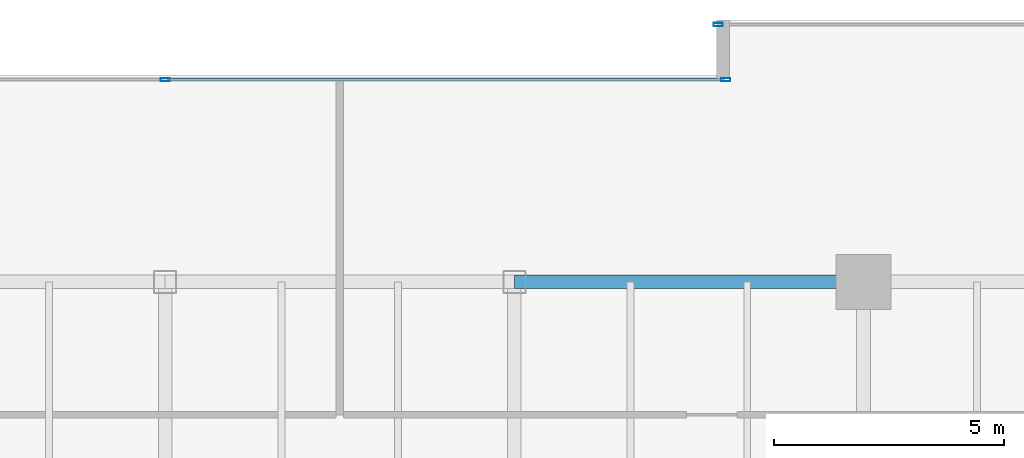
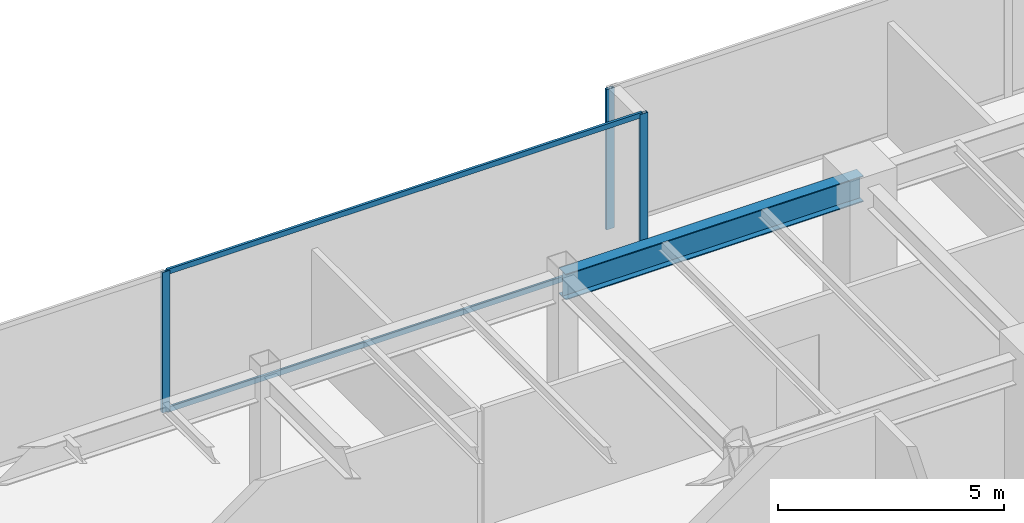
# One storey, part 18 of 30: 5 members, 1 beam, 2 elements without a shape of their own.
"""IFC4 building model written with IfcOpenShell, lengths in metres."""

from ifc_helpers import new_model, si_unit, direction, frame, origin, origin_2d, place, context, subcontext, project, spatial, hollow_rectangle, i_section, extrude, source, transform, mapped, material, layer, layer_set, material_profile, profile_set, type_object, type_shapes, element, aggregate, save


model = new_model("IFC4")

# Units and contexts
model_context = context("Model", 3, precision=1e-05, world=origin(), true_north=direction((0.0, 1.0)))
body_context = subcontext(model_context, "Body", "Model", "MODEL_VIEW")
ifc_project = project(units=[si_unit("LENGTHUNIT", "METRE"), si_unit("AREAUNIT", "SQUARE_METRE"), si_unit("VOLUMEUNIT", "CUBIC_METRE"), si_unit("PLANEANGLEUNIT", "RADIAN"), si_unit("MASSUNIT", "GRAM", prefix="KILO")], contexts=[model_context])

# Site, building, storey
site_placement = place(None, origin())
site = spatial("IfcSite", under=ifc_project, at=site_placement, CompositionType="ELEMENT")
building_placement = place(site_placement, origin())
building = spatial("IfcBuilding", under=site, at=building_placement, Name="Haelvirn Gate Laboratories", CompositionType="ELEMENT")
storey_placement = place(building_placement, frame((0.0, 0.0, 162.5)))
storey = spatial("IfcBuildingStorey", under=building, at=storey_placement, Name="L39", CompositionType="ELEMENT", Elevation=162.5)

# Beam
ifc_material_1 = material(Name="Steel SM355", Category="steel")
ifc_material_profile_1 = material_profile(ifc_material_1, i_section(OverallWidth=0.300048828125, OverallDepth=0.699951171875, WebThickness=0.012939453125, FlangeThickness=0.02392578125, at=origin_2d()), Name="H-700x300x13x24")
ifc_profile_set_1 = profile_set([ifc_material_profile_1], Name="Steel SM355")
beam_type = type_object("IfcBeamType", Name="BM-G-700", PredefinedType="BEAM", material=ifc_profile_set_1)
shared_shape_1 = source(origin(), body_context, "Body", "SweptSolid", [
    extrude(i_section(OverallWidth=0.300048828125, OverallDepth=0.699951171875, WebThickness=0.012939453125, FlangeThickness=0.02392578125, at=origin_2d()), origin(), (0.0, 0.0, 1.0), 7.60009765625),
])
type_shapes(beam_type, [shared_shape_1])
beam_placement = place(storey_placement, frame((45.0, 41.60009765625, 3.43994140625), z_axis=(1.0, 0.0, 0.0), x_axis=(0.0, 1.0, 0.0)))
element("IfcBeam", 1, at=beam_placement, inside=storey, type_object=beam_type, Name="L39 Primary Girder Y41.6 (45.0-52.6)", PredefinedType="BEAM", context=body_context, shape_type="MappedRepresentation", body=[
    mapped(shared_shape_1, transform((0.0, 0.0, 0.0), scale=1.0)),
])

# Curtain wall, members
ifc_material_2 = material(Name="Anodised bronze unitised aluminium & triple low-E glass", Category="aluminium")
ifc_layer = layer(ifc_material_2, 0.179931640625, Name="CW-SYS-3")
ifc_layer_set = layer_set([ifc_layer], Name="Anodised bronze unitised aluminium & triple low-E glass")
curtain_wall_type = type_object("IfcCurtainWallType", Name="CW-SYS-3", PredefinedType="NOTDEFINED", material=ifc_layer_set)
curtain_wall_1_placement = place(storey_placement, origin())
curtain_wall_1 = element("IfcCurtainWall", 2, at=curtain_wall_1_placement, inside=storey, type_object=curtain_wall_type, Name="L39 Unitised Curtain Wall CW-L39-P0-E12-1", PredefinedType="NOTDEFINED")
ifc_material_3 = material(Name="Extruded aluminium 6063-T6 (anodised bronze)", Category="aluminium")
ifc_material_profile_2 = material_profile(ifc_material_3, hollow_rectangle(XDim=0.06494140625, YDim=0.139892578125, WallThickness=0.00390625, at=origin_2d()), Name="CWT-140x65x4")
ifc_profile_set_2 = profile_set([ifc_material_profile_2], Name="Extruded aluminium 6063-T6 (anodised bronze)")
member_type_1 = type_object("IfcMemberType", Name="CWT-T140", PredefinedType="USERDEFINED", material=ifc_profile_set_2)
shared_shape_2 = source(origin(), body_context, "Body", "SweptSolid", [
    extrude(hollow_rectangle(XDim=0.06494140625, YDim=0.139892578125, WallThickness=0.00390625, at=origin_2d()), origin(), (0.0, 0.0, 1.0), 12.12744140625),
])
type_shapes(member_type_1, [shared_shape_2])
member_1_placement = place(storey_placement, frame((37.4375, 46.0, 0.032470703125), z_axis=(1.0, 0.0, 0.0), x_axis=(0.0, 1.0, 0.0)))
member_1 = element("IfcMember", 3, at=member_1_placement, type_object=member_type_1, Name="CW3 transom 2.1", ObjectType="TRANSOM", PredefinedType="USERDEFINED", context=body_context, shape_type="MappedRepresentation", body=[
    mapped(shared_shape_2, transform((0.0, 0.0, 0.0), scale=1.0)),
])
member_2_placement = place(storey_placement, frame((37.4375, 46.0, 3.757568359375), z_axis=(1.0, 0.0, 0.0), x_axis=(0.0, 1.0, 0.0)))
member_2 = element("IfcMember", 4, at=member_2_placement, type_object=member_type_1, Name="CW3 transom 2.2", ObjectType="TRANSOM", PredefinedType="USERDEFINED", context=body_context, shape_type="MappedRepresentation", body=[
    mapped(shared_shape_2, transform((0.0, 0.0, 0.0), scale=1.0)),
])

# Curtain wall, member
curtain_wall_2_placement = place(storey_placement, origin())
curtain_wall_2 = element("IfcCurtainWall", 5, at=curtain_wall_2_placement, inside=storey, type_object=curtain_wall_type, Name="L39 Unitised Curtain Wall CW-L39-P0-E10-1", PredefinedType="NOTDEFINED")
ifc_material_profile_3 = material_profile(ifc_material_3, hollow_rectangle(XDim=0.074951171875, YDim=0.199951171875, WallThickness=0.0048828125, at=origin_2d()), Name="CWM-200x75x5")
ifc_profile_set_3 = profile_set([ifc_material_profile_3], Name="Extruded aluminium 6063-T6 (anodised bronze)")
member_type_2 = type_object("IfcMemberType", Name="CWM-T200", PredefinedType="MULLION", material=ifc_profile_set_3)
shared_shape_3 = source(origin(), body_context, "Body", "SweptSolid", [
    extrude(hollow_rectangle(XDim=0.074951171875, YDim=0.199951171875, WallThickness=0.0048828125, at=origin_2d()), origin(), (0.0, 0.0, 1.0), 3.7900390625),
])
type_shapes(member_type_2, [shared_shape_3])
member_3_placement = place(storey_placement, frame((49.4375, 47.199951171875, 0.0), z_axis=(0.0, 0.0, 1.0), x_axis=(0.0, 1.0, 0.0)))
member_3 = element("IfcMember", 6, at=member_3_placement, type_object=member_type_2, Name="CW3 mullion 1", PredefinedType="MULLION", context=body_context, shape_type="MappedRepresentation", body=[
    mapped(shared_shape_3, transform((0.0, 0.0, 0.0), scale=1.0)),
])
aggregate(curtain_wall_2, [member_3])

# Member
member_4_placement = place(storey_placement, frame((37.39990234375, 46.0, 0.0), z_axis=(0.0, 0.0, 1.0), x_axis=(0.0, 1.0, 0.0)))
member_4 = element("IfcMember", 7, at=member_4_placement, type_object=member_type_2, Name="CW3 mullion 2", PredefinedType="MULLION", context=body_context, shape_type="MappedRepresentation", body=[
    mapped(shared_shape_3, transform((0.0, 0.0, 0.0), scale=1.0)),
])

member_5_placement = place(storey_placement, frame((49.6025390625, 46.0, 0.0), z_axis=(0.0, 0.0, 1.0), x_axis=(0.0, 1.0, 0.0)))
member_5 = element("IfcMember", 8, at=member_5_placement, type_object=member_type_2, Name="CW3 mullion 3", PredefinedType="MULLION", context=body_context, shape_type="MappedRepresentation", body=[
    mapped(shared_shape_3, transform((0.0, 0.0, 0.0), scale=1.0)),
])

aggregate(curtain_wall_1, [member_4, member_5, member_1, member_2])

save(model, "model.ifc")
